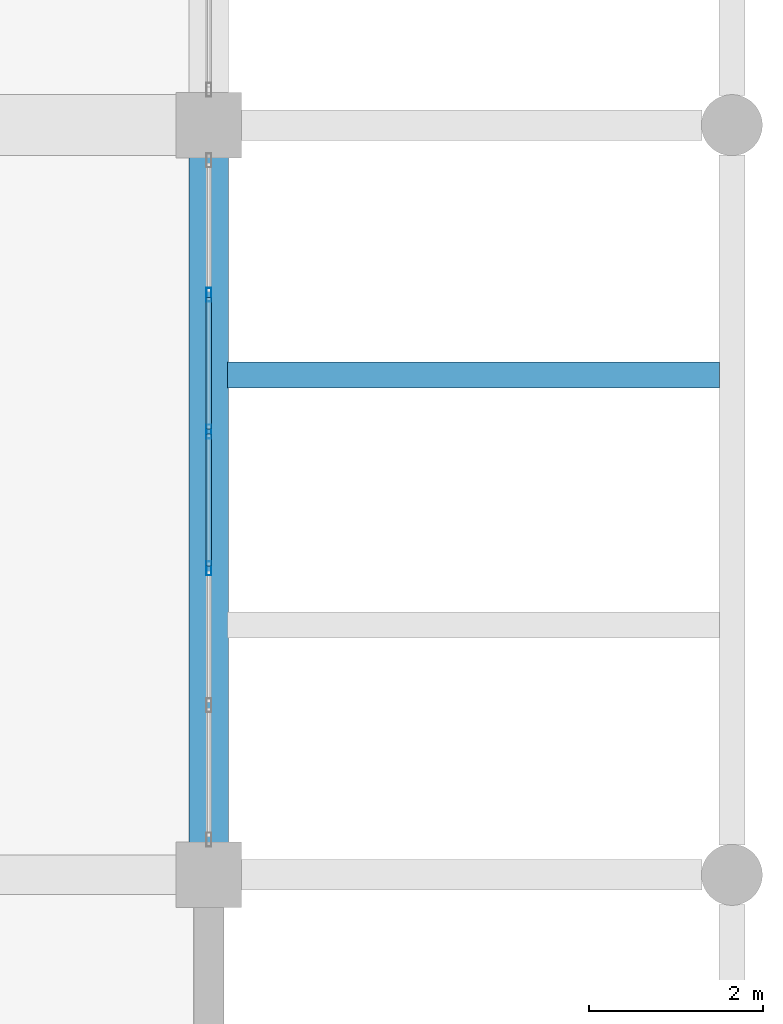
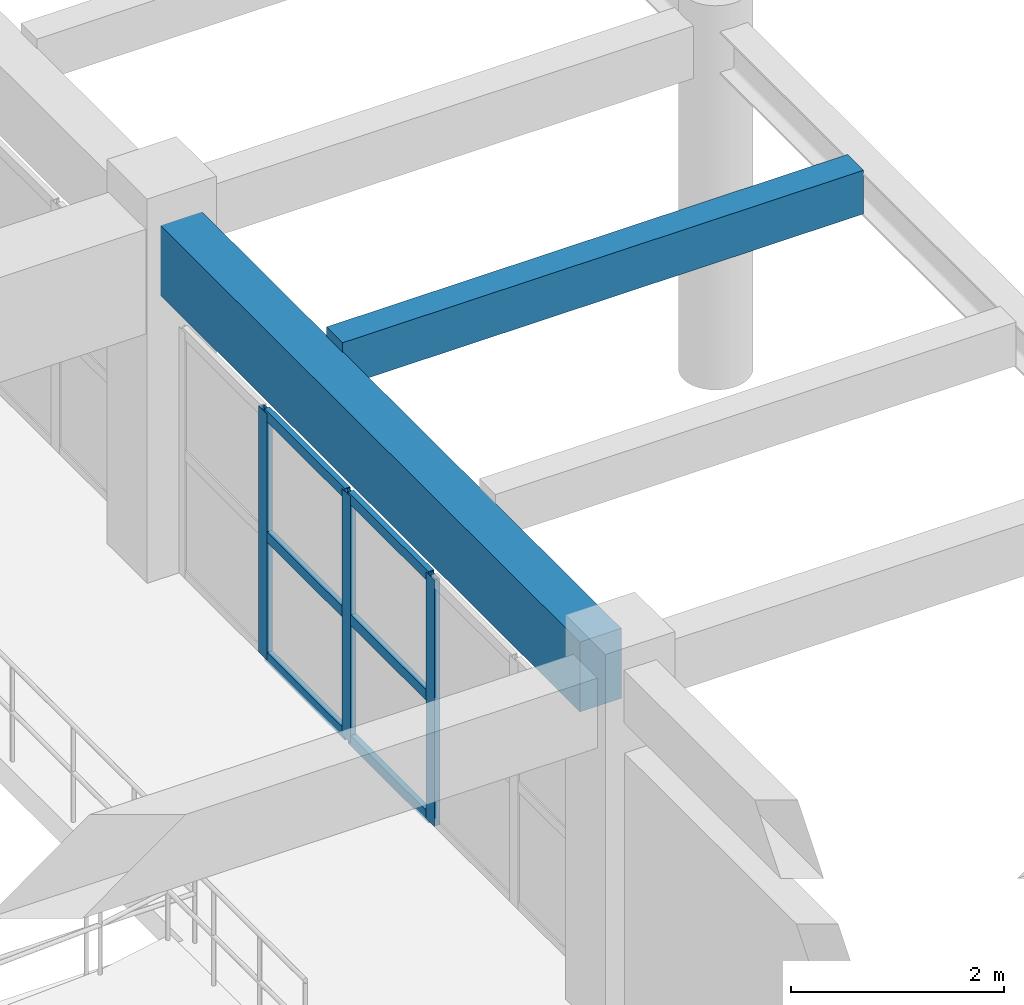
# One storey, part 77 of 116: 9 members, 2 beams, 1 element without a shape of its own.
"""IFC4 building model written with IfcOpenShell, lengths in metres."""

from ifc_helpers import new_model, si_unit, direction, frame, origin, origin_2d, place, context, subcontext, project, spatial, rectangle, hollow_rectangle, extrude, material, layer, layer_set, material_profile, profile_set, type_object, element, aggregate, save


model = new_model("IFC4")

# Units and contexts
model_context = context("Model", 3, precision=1e-05, world=origin(), true_north=direction((0.0, 1.0)))
body_context = subcontext(model_context, "Body", "Model", "MODEL_VIEW")
ifc_project = project(units=[si_unit("LENGTHUNIT", "METRE"), si_unit("AREAUNIT", "SQUARE_METRE"), si_unit("VOLUMEUNIT", "CUBIC_METRE"), si_unit("PLANEANGLEUNIT", "RADIAN"), si_unit("MASSUNIT", "GRAM", prefix="KILO")], contexts=[model_context])

# Site, building, storey
site_placement = place(None, origin())
site = spatial("IfcSite", under=ifc_project, at=site_placement, CompositionType="ELEMENT")
building_placement = place(site_placement, origin())
building = spatial("IfcBuilding", under=site, at=building_placement, Name="Muzn Square Opera House", CompositionType="ELEMENT")
storey_placement = place(building_placement, frame((0.0, 0.0, 5.39990234375)))
storey = spatial("IfcBuildingStorey", under=building, at=storey_placement, Name="L01", CompositionType="ELEMENT", Elevation=5.39990234375)

# Curtain wall, members
ifc_material_1 = material(Name="Low-E laminated acoustic double glazing", Category="glass")
ifc_layer = layer(ifc_material_1, 0.159912109375, Name="Low-E laminated acoustic double glazing", Category="glass")
ifc_layer_set = layer_set([ifc_layer], Name="Low-E laminated acoustic double glazing")
curtain_wall_type = type_object("IfcCurtainWallType", Name="Glazed Curtain Wall EastBlvd 7850x2820", PredefinedType="USERDEFINED", material=ifc_layer_set)
curtain_wall_placement = place(storey_placement, origin())
curtain_wall = element("IfcCurtainWall", 1, at=curtain_wall_placement, inside=storey, type_object=curtain_wall_type, Name="Glazed Curtain Wall CW-L01-119", ObjectType="GLAZED CURTAIN WALL", PredefinedType="USERDEFINED")
ifc_material_2 = material(Name="Anodised bronze aluminium 6063-T6", Category="metal")
ifc_material_profile_1 = material_profile(ifc_material_2, hollow_rectangle(XDim=0.06005859375, YDim=0.159912109375, WallThickness=0.00390625, at=origin_2d()), Name="ALU 160x60x4", Category="metal")
ifc_profile_set_1 = profile_set([ifc_material_profile_1], Name="Anodised bronze aluminium 6063-T6")
member_type_1 = type_object("IfcMemberType", Name="Curtain Wall Mullion 160x60", PredefinedType="MULLION", material=ifc_profile_set_1)
member_1_placement = place(storey_placement, frame((170.0, 76.114990234375, 0.0), z_axis=(0.0, 0.0, 1.0), x_axis=(-1.0, 0.0, 0.0)))
member_1 = element("IfcMember", 2, at=member_1_placement, type_object=member_type_1, Name="CW-EBL-78x28 mullion 3", PredefinedType="MULLION", context=body_context, shape_type="SweptSolid", body=[
    extrude(hollow_rectangle(XDim=0.06005859375, YDim=0.159912109375, WallThickness=0.00390625, at=origin_2d()), origin(), (0.0, 0.0, 1.0), 2.820068359375),
])
member_2_placement = place(storey_placement, frame((170.0, 77.68505859375, 0.0), z_axis=(0.0, 0.0, 1.0), x_axis=(-1.0, 0.0, 0.0)))
member_2 = element("IfcMember", 3, at=member_2_placement, type_object=member_type_1, Name="CW-EBL-78x28 mullion 4", PredefinedType="MULLION", context=body_context, shape_type="SweptSolid", body=[
    extrude(hollow_rectangle(XDim=0.06005859375, YDim=0.159912109375, WallThickness=0.00390625, at=origin_2d()), origin(), (0.0, 0.0, 1.0), 2.820068359375),
])
member_3_placement = place(storey_placement, frame((170.0, 79.2548828125, 0.0), z_axis=(0.0, 0.0, 1.0), x_axis=(-1.0, 0.0, 0.0)))
member_3 = element("IfcMember", 4, at=member_3_placement, type_object=member_type_1, Name="CW-EBL-78x28 mullion 5", PredefinedType="MULLION", context=body_context, shape_type="SweptSolid", body=[
    extrude(hollow_rectangle(XDim=0.06005859375, YDim=0.159912109375, WallThickness=0.00390625, at=origin_2d()), origin(), (0.0, 0.0, 1.0), 2.820068359375),
])
ifc_material_profile_2 = material_profile(ifc_material_2, hollow_rectangle(XDim=0.06005859375, YDim=0.1201171875, WallThickness=0.00390625, at=origin_2d()), Name="ALU 120x60x4", Category="metal")
ifc_profile_set_2 = profile_set([ifc_material_profile_2], Name="Anodised bronze aluminium 6063-T6")
member_type_2 = type_object("IfcMemberType", Name="Curtain Wall Transom 120x60", PredefinedType="USERDEFINED", material=ifc_profile_set_2)
member_4_placement = place(storey_placement, frame((170.0, 76.14501953125, 0.030029296875), z_axis=(0.0, 1.0, 0.0), x_axis=(-1.0, 0.0, 0.0)))
member_4 = element("IfcMember", 5, at=member_4_placement, type_object=member_type_2, Name="CW-EBL-78x28 transom 3.1", ObjectType="TRANSOM", PredefinedType="USERDEFINED", context=body_context, shape_type="SweptSolid", body=[
    extrude(hollow_rectangle(XDim=0.06005859375, YDim=0.1201171875, WallThickness=0.00390625, at=origin_2d()), origin(), (0.0, 0.0, 1.0), 1.510009765625),
])
member_5_placement = place(storey_placement, frame((170.0, 76.14501953125, 1.41015625), z_axis=(0.0, 1.0, 0.0), x_axis=(-1.0, 0.0, 0.0)))
member_5 = element("IfcMember", 6, at=member_5_placement, type_object=member_type_2, Name="CW-EBL-78x28 transom 3.2", ObjectType="TRANSOM", PredefinedType="USERDEFINED", context=body_context, shape_type="SweptSolid", body=[
    extrude(hollow_rectangle(XDim=0.06005859375, YDim=0.1201171875, WallThickness=0.00390625, at=origin_2d()), origin(), (0.0, 0.0, 1.0), 1.510009765625),
])
member_6_placement = place(storey_placement, frame((170.0, 76.14501953125, 2.7900390625), z_axis=(0.0, 1.0, 0.0), x_axis=(-1.0, 0.0, 0.0)))
member_6 = element("IfcMember", 7, at=member_6_placement, type_object=member_type_2, Name="CW-EBL-78x28 transom 3.3", ObjectType="TRANSOM", PredefinedType="USERDEFINED", context=body_context, shape_type="SweptSolid", body=[
    extrude(hollow_rectangle(XDim=0.06005859375, YDim=0.1201171875, WallThickness=0.00390625, at=origin_2d()), origin(), (0.0, 0.0, 1.0), 1.510009765625),
])
member_7_placement = place(storey_placement, frame((170.0, 77.715087890625, 0.030029296875), z_axis=(0.0, 1.0, 0.0), x_axis=(-1.0, 0.0, 0.0)))
member_7 = element("IfcMember", 8, at=member_7_placement, type_object=member_type_2, Name="CW-EBL-78x28 transom 4.1", ObjectType="TRANSOM", PredefinedType="USERDEFINED", context=body_context, shape_type="SweptSolid", body=[
    extrude(hollow_rectangle(XDim=0.06005859375, YDim=0.1201171875, WallThickness=0.00390625, at=origin_2d()), origin(), (0.0, 0.0, 1.0), 1.510009765625),
])
member_8_placement = place(storey_placement, frame((170.0, 77.715087890625, 1.41015625), z_axis=(0.0, 1.0, 0.0), x_axis=(-1.0, 0.0, 0.0)))
member_8 = element("IfcMember", 9, at=member_8_placement, type_object=member_type_2, Name="CW-EBL-78x28 transom 4.2", ObjectType="TRANSOM", PredefinedType="USERDEFINED", context=body_context, shape_type="SweptSolid", body=[
    extrude(hollow_rectangle(XDim=0.06005859375, YDim=0.1201171875, WallThickness=0.00390625, at=origin_2d()), origin(), (0.0, 0.0, 1.0), 1.510009765625),
])
member_9_placement = place(storey_placement, frame((170.0, 77.715087890625, 2.7900390625), z_axis=(0.0, 1.0, 0.0), x_axis=(-1.0, 0.0, 0.0)))
member_9 = element("IfcMember", 10, at=member_9_placement, type_object=member_type_2, Name="CW-EBL-78x28 transom 4.3", ObjectType="TRANSOM", PredefinedType="USERDEFINED", context=body_context, shape_type="SweptSolid", body=[
    extrude(hollow_rectangle(XDim=0.06005859375, YDim=0.1201171875, WallThickness=0.00390625, at=origin_2d()), origin(), (0.0, 0.0, 1.0), 1.510009765625),
])
aggregate(curtain_wall, [member_1, member_2, member_3, member_4, member_5, member_6, member_7, member_8, member_9])

# Beams
ifc_material_3 = material(Name="Concrete C40/50", Category="concrete")
ifc_material_profile_3 = material_profile(ifc_material_3, rectangle(XDim=0.300048828125, YDim=0.5, at=origin_2d()), Name="RCJ 300x500", Category="concrete")
ifc_profile_set_3 = profile_set([ifc_material_profile_3], Name="Concrete C40/50")
beam_type_1 = type_object("IfcBeamType", Name="Floor Joist 300x500", PredefinedType="JOIST", material=ifc_profile_set_3)
beam_1_placement = place(storey_placement, frame((170.217041015625, 78.333251953125, 3.900146484375), z_axis=(1.0, 0.0, 0.0), x_axis=(0.0, 1.0, 0.0)))
element("IfcBeam", 11, at=beam_1_placement, inside=storey, type_object=beam_type_1, Name="Floor Joist BM-L01-BM-J500-1702_783_1759_783-1935", PredefinedType="JOIST", context=body_context, shape_type="SweptSolid", body=[
    extrude(rectangle(XDim=0.300048828125, YDim=0.5, at=origin_2d()), origin(), (0.0, 0.0, 1.0), 5.640869140625),
])
ifc_material_profile_4 = material_profile(ifc_material_3, rectangle(XDim=0.449951171875, YDim=0.800048828125, at=origin_2d()), Name="RCB 450x800", Category="concrete")
ifc_profile_set_4 = profile_set([ifc_material_profile_4], Name="Concrete C40/50")
beam_type_2 = type_object("IfcBeamType", Name="Primary Girder 450x800", PredefinedType="BEAM", material=ifc_profile_set_4)
beam_2_placement = place(storey_placement, frame((170.0, 72.967041015625, 3.64013671875), z_axis=(0.0, 1.0, 0.0), x_axis=(-1.0, 0.0, 0.0)))
element("IfcBeam", 12, at=beam_2_placement, inside=storey, type_object=beam_type_2, Name="Primary Girder BM-L01-BM-PG800-1700_730_1700_808-1779", PredefinedType="BEAM", context=body_context, shape_type="SweptSolid", body=[
    extrude(rectangle(XDim=0.449951171875, YDim=0.800048828125, at=origin_2d()), origin(), (0.0, 0.0, 1.0), 7.865966796875),
])

save(model, "model.ifc")
